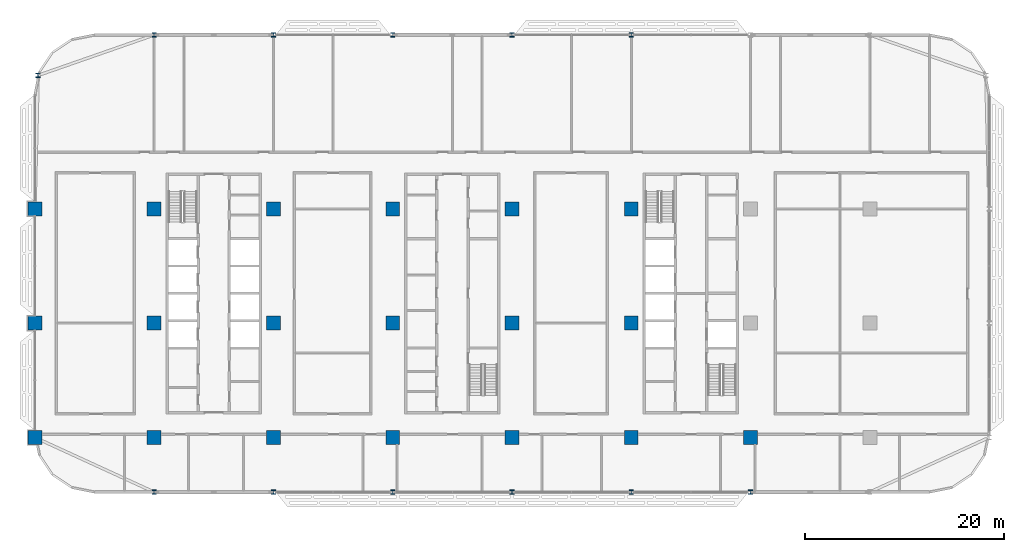
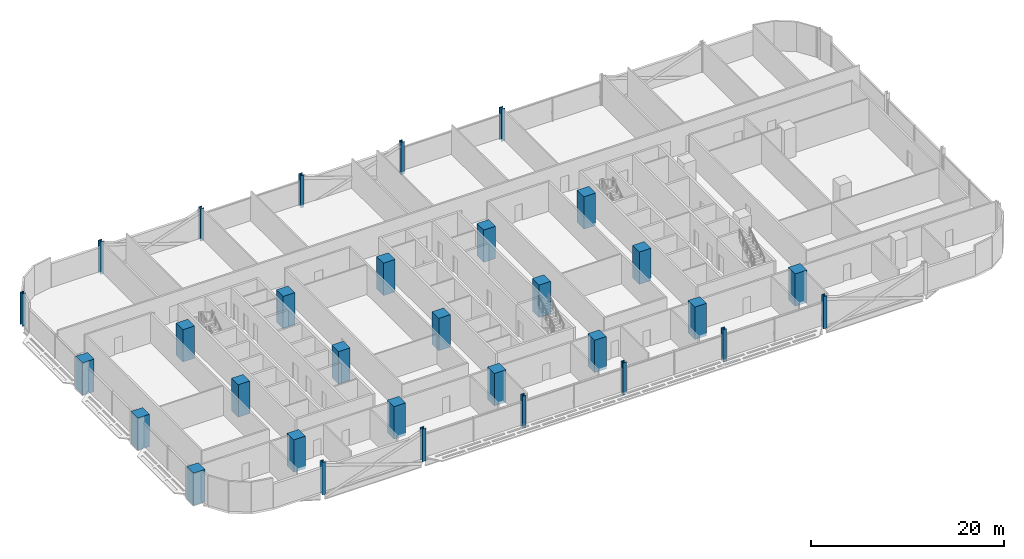
# One storey, part 1 of 29: 31 columns.
"""IFC4 building model written with IfcOpenShell, lengths in metres."""

from ifc_helpers import new_model, si_unit, direction, frame, origin, origin_2d, place, context, subcontext, project, spatial, rectangle, i_section, extrude, material, material_profile, profile_set, type_object, element, save


model = new_model("IFC4")

# Units and contexts
model_context = context("Model", 3, precision=1e-05, world=origin(), true_north=direction((0.0, 1.0)))
body_context = subcontext(model_context, "Body", "Model", "MODEL_VIEW")
ifc_project = project(units=[si_unit("LENGTHUNIT", "METRE"), si_unit("AREAUNIT", "SQUARE_METRE"), si_unit("VOLUMEUNIT", "CUBIC_METRE"), si_unit("PLANEANGLEUNIT", "RADIAN"), si_unit("MASSUNIT", "GRAM", prefix="KILO")], contexts=[model_context])

# Site, building, storey
site_placement = place(None, origin())
site = spatial("IfcSite", under=ifc_project, at=site_placement, CompositionType="ELEMENT")
building_placement = place(site_placement, origin())
building = spatial("IfcBuilding", under=site, at=building_placement, Name="Mahtab Terrace Research Tower", CompositionType="ELEMENT")
storey_placement = place(building_placement, frame((0.0, 0.0, 97.10009765625)))
storey = spatial("IfcBuildingStorey", under=building, at=storey_placement, Name="L22", CompositionType="ELEMENT", Elevation=97.10009765625)

# Columns
ifc_material_1 = material(Name="Concrete C70/85", Category="concrete")
ifc_material_profile_1 = material_profile(ifc_material_1, rectangle(XDim=1.39990234375, YDim=1.39990234375, at=origin_2d()), Name="RC column 1400x1400")
ifc_profile_set_1 = profile_set([ifc_material_profile_1], Name="Concrete C70/85")
column_type_1 = type_object("IfcColumnType", Name="RC column 1400x1400", PredefinedType="COLUMN", material=ifc_profile_set_1)
for number, where, z_axis, x_axis, name in (
    (1, (-42.0, -11.5, -0.340087890625), (0.0, 0.0, 1.0), (1.0, 0.0, 0.0), "Column RC-1A L22"),
    (2, (-42.0, 0.0, -0.340087890625), (0.0, 0.0, 1.0), (1.0, 0.0, 0.0), "Column RC-1B L22"),
    (3, (-42.0, 11.5, -0.340087890625), (0.0, 0.0, 1.0), (1.0, 0.0, 0.0), "Column RC-1C L22"),
    (4, (-30.0, -11.5, -0.340087890625), (0.0, 0.0, 1.0), (1.0, 0.0, 0.0), "Column RC-2A L22"),
    (5, (-30.0, 0.0, -0.340087890625), (0.0, 0.0, 1.0), (1.0, 0.0, 0.0), "Column RC-2B L22"),
    (6, (-30.0, 11.5, -0.340087890625), (0.0, 0.0, 1.0), (1.0, 0.0, 0.0), "Column RC-2C L22"),
    (7, (-18.0, -11.5, -0.340087890625), (0.0, 0.0, 1.0), (1.0, 0.0, 0.0), "Column RC-3A L22"),
    (8, (-18.0, 0.0, -0.340087890625), (0.0, 0.0, 1.0), (1.0, 0.0, 0.0), "Column RC-3B L22"),
    (9, (-18.0, 11.5, -0.340087890625), (0.0, 0.0, 1.0), (1.0, 0.0, 0.0), "Column RC-3C L22"),
    (10, (-6.0, -11.5, -0.340087890625), (0.0, 0.0, 1.0), (1.0, 0.0, 0.0), "Column RC-4A L22"),
    (11, (-6.0, 0.0, -0.340087890625), (0.0, 0.0, 1.0), (1.0, 0.0, 0.0), "Column RC-4B L22"),
    (12, (-6.0, 11.5, -0.340087890625), (0.0, 0.0, 1.0), (1.0, 0.0, 0.0), "Column RC-4C L22"),
    (13, (6.0, -11.5, -0.340087890625), (0.0, 0.0, 1.0), (1.0, 0.0, 0.0), "Column RC-5A L22"),
    (14, (6.0, 0.0, -0.340087890625), (0.0, 0.0, 1.0), (1.0, 0.0, 0.0), "Column RC-5B L22"),
    (15, (6.0, 11.5, -0.340087890625), (0.0, 0.0, 1.0), (1.0, 0.0, 0.0), "Column RC-5C L22"),
    (16, (18.0, -11.5, -0.340087890625), (0.0, 0.0, 1.0), (1.0, 0.0, 0.0), "Column RC-6A L22"),
    (17, (18.0, 0.0, -0.340087890625), (0.0, 0.0, 1.0), (1.0, 0.0, 0.0), "Column RC-6B L22"),
    (18, (18.0, 11.5, -0.340087890625), (0.0, 0.0, 1.0), (1.0, 0.0, 0.0), "Column RC-6C L22"),
    (19, (30.0, -11.5, -0.340087890625), (0.0, 0.0, 1.0), (1.0, 0.0, 0.0), "Column RC-7A L22"),
):
    element("IfcColumn", number, at=place(storey_placement, frame(where, z_axis=z_axis, x_axis=x_axis)), inside=storey, type_object=column_type_1, Name=name, PredefinedType="COLUMN", context=body_context, shape_type="SweptSolid", body=[
        extrude(rectangle(XDim=1.39990234375, YDim=1.39990234375, at=origin_2d()), origin(), (0.0, 0.0, 1.0), 4.10009765625),
    ])
ifc_material_2 = material(Name="Steel ASTM A992 Gr 50", Category="steel")
ifc_material_profile_2 = material_profile(ifc_material_2, i_section(OverallWidth=0.419189453125, OverallDepth=0.45458984375, WebThickness=0.042236328125, FlangeThickness=0.067626953125, at=origin_2d()), Name="W14X370")
ifc_profile_set_2 = profile_set([ifc_material_profile_2], Name="Steel ASTM A992 Gr 50")
column_type_2 = type_object("IfcColumnType", Name="W14x370 column CS14370", PredefinedType="COLUMN", material=ifc_profile_set_2)
for number, where, z_axis, x_axis, name in (
    (20, (18.0, 29.0, -0.340087890625), (0.0, 0.0, 1.0), (1.0, 0.0, 0.0), "Column SC-033 L22"),
    (21, (6.0, 29.0, -0.340087890625), (0.0, 0.0, 1.0), (1.0, 0.0, 0.0), "Column SC-034 L22"),
    (22, (-6.0, 29.0, -0.340087890625), (0.0, 0.0, 1.0), (1.0, 0.0, 0.0), "Column SC-035 L22"),
    (23, (-18.0, 29.0, -0.340087890625), (0.0, 0.0, 1.0), (1.0, 0.0, 0.0), "Column SC-036 L22"),
    (24, (-30.0, 29.0, -0.340087890625), (0.0, 0.0, 1.0), (1.0, 0.0, 0.0), "Column SC-037 L22"),
    (25, (-41.681884765625, 24.927001953125, -0.340087890625), (0.0, 0.0, 1.0), (1.0, 0.0, 0.0), "Column SC-038 L22"),
    (26, (-30.0, -17.0, -0.340087890625), (0.0, 0.0, 1.0), (1.0, 0.0, 0.0), "Column SC-039 L22"),
    (27, (-18.0, -17.0, -0.340087890625), (0.0, 0.0, 1.0), (1.0, 0.0, 0.0), "Column SC-040 L22"),
    (28, (-6.0, -17.0, -0.340087890625), (0.0, 0.0, 1.0), (1.0, 0.0, 0.0), "Column SC-041 L22"),
    (29, (6.0, -17.0, -0.340087890625), (0.0, 0.0, 1.0), (1.0, 0.0, 0.0), "Column SC-042 L22"),
    (30, (18.0, -17.0, -0.340087890625), (0.0, 0.0, 1.0), (1.0, 0.0, 0.0), "Column SC-043 L22"),
    (31, (30.0, -17.0, -0.340087890625), (0.0, 0.0, 1.0), (1.0, 0.0, 0.0), "Column SC-044 L22"),
):
    element("IfcColumn", number, at=place(storey_placement, frame(where, z_axis=z_axis, x_axis=x_axis)), inside=storey, type_object=column_type_2, Name=name, PredefinedType="COLUMN", context=body_context, shape_type="SweptSolid", body=[
        extrude(i_section(OverallWidth=0.419189453125, OverallDepth=0.45458984375, WebThickness=0.042236328125, FlangeThickness=0.067626953125, at=origin_2d()), origin(), (0.0, 0.0, 1.0), 4.10009765625),
    ])

save(model, "model.ifc")
